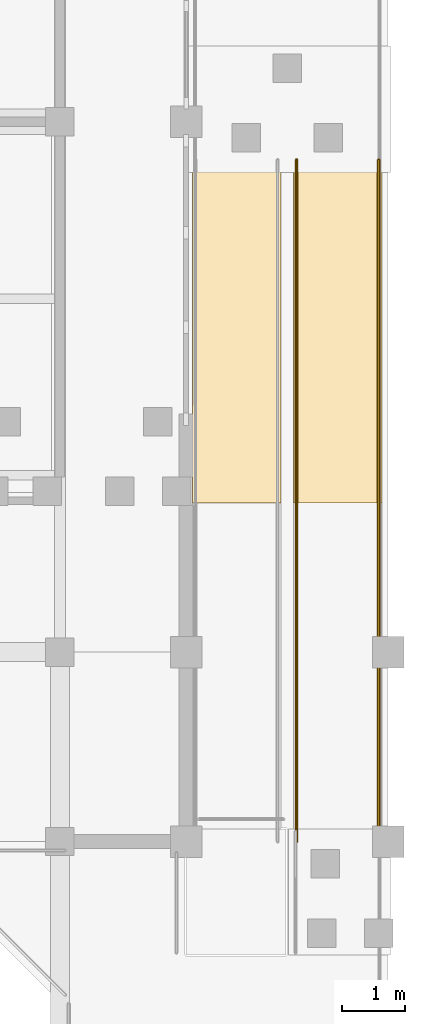
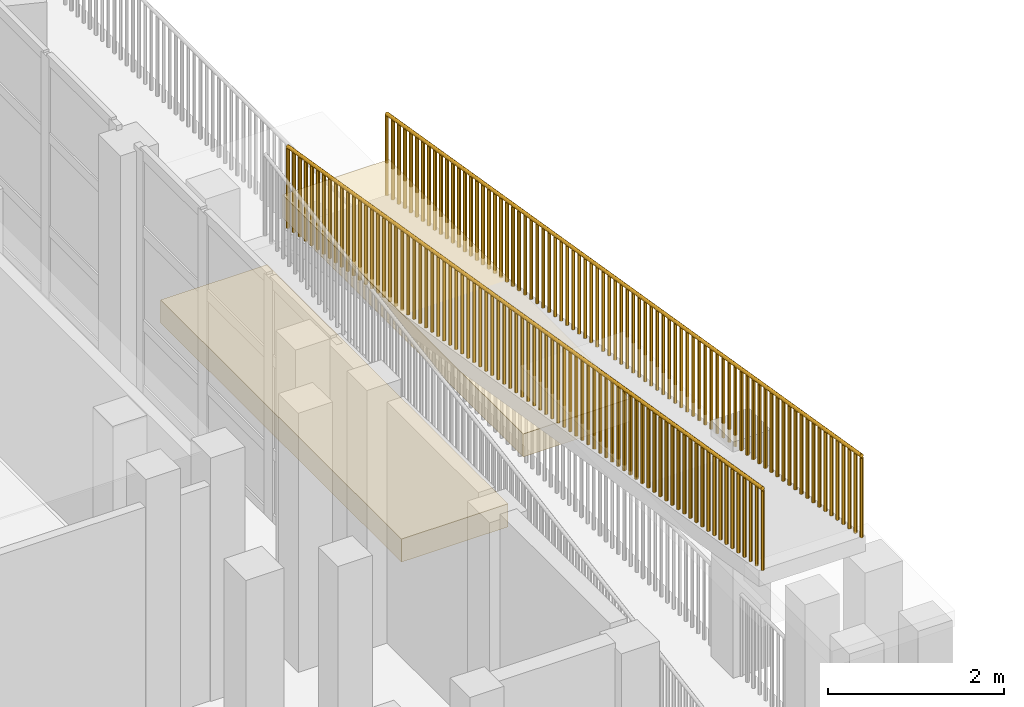
# One storey, part 41 of 42: 2 coverings, 2 railings.
"""IFC4 building model written with IfcOpenShell, lengths in metres."""

from ifc_helpers import new_model, si_unit, direction, frame, origin, origin_2d, place, context, subcontext, project, spatial, rectangle, circle, extrude, material, layer, layer_set, type_object, element, save


model = new_model("IFC4")

# Units and contexts
model_context = context("Model", 3, precision=1e-05, world=origin(), true_north=direction((0.0, 1.0)))
body_context = subcontext(model_context, "Body", "Model", "MODEL_VIEW")
ifc_project = project(units=[si_unit("LENGTHUNIT", "METRE"), si_unit("AREAUNIT", "SQUARE_METRE"), si_unit("VOLUMEUNIT", "CUBIC_METRE"), si_unit("PLANEANGLEUNIT", "RADIAN"), si_unit("MASSUNIT", "GRAM", prefix="KILO")], contexts=[model_context])

# Site, building, storey
site_placement = place(None, origin())
site = spatial("IfcSite", under=ifc_project, at=site_placement, CompositionType="ELEMENT")
building_placement = place(site_placement, origin())
building = spatial("IfcBuilding", under=site, at=building_placement, Name="Vanh Quang Courtyard School", CompositionType="ELEMENT")
storey_placement = place(building_placement, frame((0.0, 0.0, 15.0)))
storey = spatial("IfcBuildingStorey", under=building, at=storey_placement, Name="L04", CompositionType="ELEMENT", Elevation=15.0)

# Coverings
ifc_material_1 = material(Name="Board-marked precast concrete C40/50", Category="concrete")
ifc_layer = layer(ifc_material_1, 0.239990234375)
ifc_layer_set = layer_set([ifc_layer], Name="Board-marked precast concrete C40/50")
covering_type = type_object("IfcCoveringType", Name="COV-HOOD-CONC", PredefinedType="CLADDING", material=ifc_layer_set)
for number, where, z_axis, x_axis, name in (
    (1, (113.800048828125, 76.5, 1.02978515625), (0.0, 0.0, 1.0), (1.0, 0.0, 0.0), "Covering CH-01 (L04)"),
    (2, (115.39990234375, 76.5, 1.93017578125), (0.0, 0.0, 1.0), (1.0, 0.0, 0.0), "Covering CH-01 (L04)"),
):
    element("IfcCovering", number, at=place(storey_placement, frame(where, z_axis=z_axis, x_axis=x_axis)), inside=storey, type_object=covering_type, Name=name, PredefinedType="CLADDING", context=body_context, shape_type="SweptSolid", body=[
        extrude(rectangle(XDim=1.39990234375, YDim=5.47998046875, at=origin_2d()), origin(), (0.0, 0.0, 1.0), 0.320068359375),
    ])

# Railings
ifc_material_2 = material(Name="Galvanised painted steel EN 10025-2 S355J2", Category="steel")
railing_type = type_object("IfcRailingType", Name="RAIL-GUARD-1150", PredefinedType="BALUSTRADE", material=ifc_material_2)
railing_1_placement = place(storey_placement, frame((114.75, 79.199951171875, 1.800048828125)))
element("IfcRailing", 3, at=railing_1_placement, inside=storey, type_object=railing_type, Name="Railing GR-01 (L04)", PredefinedType="BALUSTRADE", context=body_context, shape_type="SweptSolid", body=[
    extrude(circle(Radius=0.02392578125, at=origin_2d()), frame((0.0, 0.0, 1.1259765625), z_axis=(0.0, -0.986393321179, 0.164402603184), x_axis=(1.0, 0.0, 0.0)), (0.0, 0.0, 1.0), 10.948974609375),
    extrude(circle(Radius=0.02099609375, at=origin_2d()), origin(), (0.0, 0.0, 1.0), 1.101806640625),
    extrude(circle(Radius=0.02099609375, at=origin_2d()), frame((0.0, -0.13671875, 0.022705078125)), (0.0, 0.0, 1.0), 1.101806640625),
    extrude(circle(Radius=0.02099609375, at=origin_2d()), frame((0.0, -0.2734375, 0.045654296875)), (0.0, 0.0, 1.0), 1.101806640625),
    extrude(circle(Radius=0.02099609375, at=origin_2d()), frame((0.0, -0.41015625, 0.068359375)), (0.0, 0.0, 1.0), 1.101806640625),
    extrude(circle(Radius=0.02099609375, at=origin_2d()), frame((0.0, -0.546875, 0.091064453125)), (0.0, 0.0, 1.0), 1.101806640625),
    extrude(circle(Radius=0.02099609375, at=origin_2d()), frame((0.0, -0.68359375, 0.114013671875)), (0.0, 0.0, 1.0), 1.101806640625),
    extrude(circle(Radius=0.02099609375, at=origin_2d()), frame((0.0, -0.8203125, 0.13671875)), (0.0, 0.0, 1.0), 1.101806640625),
    extrude(circle(Radius=0.02099609375, at=origin_2d()), frame((0.0, -0.95703125, 0.159423828125)), (0.0, 0.0, 1.0), 1.101806640625),
    extrude(circle(Radius=0.02099609375, at=origin_2d()), frame((0.0, -1.09375, 0.182373046875)), (0.0, 0.0, 1.0), 1.101806640625),
    extrude(circle(Radius=0.02099609375, at=origin_2d()), frame((0.0, -1.23046875, 0.205078125)), (0.0, 0.0, 1.0), 1.101806640625),
    extrude(circle(Radius=0.02099609375, at=origin_2d()), frame((0.0, -1.3671875, 0.227783203125)), (0.0, 0.0, 1.0), 1.101806640625),
    extrude(circle(Radius=0.02099609375, at=origin_2d()), frame((0.0, -1.50390625, 0.250732421875)), (0.0, 0.0, 1.0), 1.101806640625),
    extrude(circle(Radius=0.02099609375, at=origin_2d()), frame((0.0, -1.640625, 0.2734375)), (0.0, 0.0, 1.0), 1.101806640625),
    extrude(circle(Radius=0.02099609375, at=origin_2d()), frame((0.0, -1.77734375, 0.296142578125)), (0.0, 0.0, 1.0), 1.101806640625),
    extrude(circle(Radius=0.02099609375, at=origin_2d()), frame((0.0, -1.913818359375, 0.319091796875)), (0.0, 0.0, 1.0), 1.101806640625),
    extrude(circle(Radius=0.02099609375, at=origin_2d()), frame((0.0, -2.050537109375, 0.341796875)), (0.0, 0.0, 1.0), 1.101806640625),
    extrude(circle(Radius=0.02099609375, at=origin_2d()), frame((0.0, -2.187255859375, 0.364501953125)), (0.0, 0.0, 1.0), 1.101806640625),
    extrude(circle(Radius=0.02099609375, at=origin_2d()), frame((0.0, -2.323974609375, 0.387451171875)), (0.0, 0.0, 1.0), 1.101806640625),
    extrude(circle(Radius=0.02099609375, at=origin_2d()), frame((0.0, -2.460693359375, 0.41015625)), (0.0, 0.0, 1.0), 1.101806640625),
    extrude(circle(Radius=0.02099609375, at=origin_2d()), frame((0.0, -2.597412109375, 0.432861328125)), (0.0, 0.0, 1.0), 1.101806640625),
    extrude(circle(Radius=0.02099609375, at=origin_2d()), frame((0.0, -2.734130859375, 0.455810546875)), (0.0, 0.0, 1.0), 1.101806640625),
    extrude(circle(Radius=0.02099609375, at=origin_2d()), frame((0.0, -2.870849609375, 0.478515625)), (0.0, 0.0, 1.0), 1.101806640625),
    extrude(circle(Radius=0.02099609375, at=origin_2d()), frame((0.0, -3.007568359375, 0.501220703125)), (0.0, 0.0, 1.0), 1.101806640625),
    extrude(circle(Radius=0.02099609375, at=origin_2d()), frame((0.0, -3.144287109375, 0.524169921875)), (0.0, 0.0, 1.0), 1.101806640625),
    extrude(circle(Radius=0.02099609375, at=origin_2d()), frame((0.0, -3.281005859375, 0.546875)), (0.0, 0.0, 1.0), 1.101806640625),
    extrude(circle(Radius=0.02099609375, at=origin_2d()), frame((0.0, -3.417724609375, 0.569580078125)), (0.0, 0.0, 1.0), 1.101806640625),
    extrude(circle(Radius=0.02099609375, at=origin_2d()), frame((0.0, -3.554443359375, 0.592529296875)), (0.0, 0.0, 1.0), 1.101806640625),
    extrude(circle(Radius=0.02099609375, at=origin_2d()), frame((0.0, -3.691162109375, 0.615234375)), (0.0, 0.0, 1.0), 1.101806640625),
    extrude(circle(Radius=0.02099609375, at=origin_2d()), frame((0.0, -3.827880859375, 0.637939453125)), (0.0, 0.0, 1.0), 1.101806640625),
    extrude(circle(Radius=0.02099609375, at=origin_2d()), frame((0.0, -3.964599609375, 0.660888671875)), (0.0, 0.0, 1.0), 1.101806640625),
    extrude(circle(Radius=0.02099609375, at=origin_2d()), frame((0.0, -4.101318359375, 0.68359375)), (0.0, 0.0, 1.0), 1.101806640625),
    extrude(circle(Radius=0.02099609375, at=origin_2d()), frame((0.0, -4.238037109375, 0.706298828125)), (0.0, 0.0, 1.0), 1.101806640625),
    extrude(circle(Radius=0.02099609375, at=origin_2d()), frame((0.0, -4.374755859375, 0.729248046875)), (0.0, 0.0, 1.0), 1.101806640625),
    extrude(circle(Radius=0.02099609375, at=origin_2d()), frame((0.0, -4.511474609375, 0.751953125)), (0.0, 0.0, 1.0), 1.101806640625),
    extrude(circle(Radius=0.02099609375, at=origin_2d()), frame((0.0, -4.648193359375, 0.774658203125)), (0.0, 0.0, 1.0), 1.101806640625),
    extrude(circle(Radius=0.02099609375, at=origin_2d()), frame((0.0, -4.784912109375, 0.797607421875)), (0.0, 0.0, 1.0), 1.101806640625),
    extrude(circle(Radius=0.02099609375, at=origin_2d()), frame((0.0, -4.921630859375, 0.8203125)), (0.0, 0.0, 1.0), 1.101806640625),
    extrude(circle(Radius=0.02099609375, at=origin_2d()), frame((0.0, -5.058349609375, 0.843017578125)), (0.0, 0.0, 1.0), 1.101806640625),
    extrude(circle(Radius=0.02099609375, at=origin_2d()), frame((0.0, -5.195068359375, 0.865966796875)), (0.0, 0.0, 1.0), 1.101806640625),
    extrude(circle(Radius=0.02099609375, at=origin_2d()), frame((0.0, -5.331787109375, 0.888671875)), (0.0, 0.0, 1.0), 1.101806640625),
    extrude(circle(Radius=0.02099609375, at=origin_2d()), frame((0.0, -5.46826171875, 0.911376953125)), (0.0, 0.0, 1.0), 1.101806640625),
    extrude(circle(Radius=0.02099609375, at=origin_2d()), frame((0.0, -5.60498046875, 0.93408203125)), (0.0, 0.0, 1.0), 1.101806640625),
    extrude(circle(Radius=0.02099609375, at=origin_2d()), frame((0.0, -5.74169921875, 0.95703125)), (0.0, 0.0, 1.0), 1.101806640625),
    extrude(circle(Radius=0.02099609375, at=origin_2d()), frame((0.0, -5.87841796875, 0.979736328125)), (0.0, 0.0, 1.0), 1.101806640625),
    extrude(circle(Radius=0.02099609375, at=origin_2d()), frame((0.0, -6.01513671875, 1.00244140625)), (0.0, 0.0, 1.0), 1.101806640625),
    extrude(circle(Radius=0.02099609375, at=origin_2d()), frame((0.0, -6.15185546875, 1.025390625)), (0.0, 0.0, 1.0), 1.101806640625),
    extrude(circle(Radius=0.02099609375, at=origin_2d()), frame((0.0, -6.28857421875, 1.048095703125)), (0.0, 0.0, 1.0), 1.101806640625),
    extrude(circle(Radius=0.02099609375, at=origin_2d()), frame((0.0, -6.42529296875, 1.07080078125)), (0.0, 0.0, 1.0), 1.101806640625),
    extrude(circle(Radius=0.02099609375, at=origin_2d()), frame((0.0, -6.56201171875, 1.09375)), (0.0, 0.0, 1.0), 1.101806640625),
    extrude(circle(Radius=0.02099609375, at=origin_2d()), frame((0.0, -6.69873046875, 1.116455078125)), (0.0, 0.0, 1.0), 1.101806640625),
    extrude(circle(Radius=0.02099609375, at=origin_2d()), frame((0.0, -6.83544921875, 1.13916015625)), (0.0, 0.0, 1.0), 1.101806640625),
    extrude(circle(Radius=0.02099609375, at=origin_2d()), frame((0.0, -6.97216796875, 1.162109375)), (0.0, 0.0, 1.0), 1.101806640625),
    extrude(circle(Radius=0.02099609375, at=origin_2d()), frame((0.0, -7.10888671875, 1.184814453125)), (0.0, 0.0, 1.0), 1.101806640625),
    extrude(circle(Radius=0.02099609375, at=origin_2d()), frame((0.0, -7.24560546875, 1.20751953125)), (0.0, 0.0, 1.0), 1.101806640625),
    extrude(circle(Radius=0.02099609375, at=origin_2d()), frame((0.0, -7.38232421875, 1.23046875)), (0.0, 0.0, 1.0), 1.101806640625),
    extrude(circle(Radius=0.02099609375, at=origin_2d()), frame((0.0, -7.51904296875, 1.253173828125)), (0.0, 0.0, 1.0), 1.101806640625),
    extrude(circle(Radius=0.02099609375, at=origin_2d()), frame((0.0, -7.65576171875, 1.27587890625)), (0.0, 0.0, 1.0), 1.101806640625),
    extrude(circle(Radius=0.02099609375, at=origin_2d()), frame((0.0, -7.79248046875, 1.298828125)), (0.0, 0.0, 1.0), 1.101806640625),
    extrude(circle(Radius=0.02099609375, at=origin_2d()), frame((0.0, -7.92919921875, 1.321533203125)), (0.0, 0.0, 1.0), 1.101806640625),
    extrude(circle(Radius=0.02099609375, at=origin_2d()), frame((0.0, -8.06591796875, 1.34423828125)), (0.0, 0.0, 1.0), 1.101806640625),
    extrude(circle(Radius=0.02099609375, at=origin_2d()), frame((0.0, -8.20263671875, 1.3671875)), (0.0, 0.0, 1.0), 1.101806640625),
    extrude(circle(Radius=0.02099609375, at=origin_2d()), frame((0.0, -8.33935546875, 1.389892578125)), (0.0, 0.0, 1.0), 1.101806640625),
    extrude(circle(Radius=0.02099609375, at=origin_2d()), frame((0.0, -8.47607421875, 1.41259765625)), (0.0, 0.0, 1.0), 1.101806640625),
    extrude(circle(Radius=0.02099609375, at=origin_2d()), frame((0.0, -8.61279296875, 1.435546875)), (0.0, 0.0, 1.0), 1.101806640625),
    extrude(circle(Radius=0.02099609375, at=origin_2d()), frame((0.0, -8.74951171875, 1.458251953125)), (0.0, 0.0, 1.0), 1.101806640625),
    extrude(circle(Radius=0.02099609375, at=origin_2d()), frame((0.0, -8.88623046875, 1.48095703125)), (0.0, 0.0, 1.0), 1.101806640625),
    extrude(circle(Radius=0.02099609375, at=origin_2d()), frame((0.0, -9.022705078125, 1.50390625)), (0.0, 0.0, 1.0), 1.101806640625),
    extrude(circle(Radius=0.02099609375, at=origin_2d()), frame((0.0, -9.159423828125, 1.526611328125)), (0.0, 0.0, 1.0), 1.101806640625),
    extrude(circle(Radius=0.02099609375, at=origin_2d()), frame((0.0, -9.296142578125, 1.54931640625)), (0.0, 0.0, 1.0), 1.101806640625),
    extrude(circle(Radius=0.02099609375, at=origin_2d()), frame((0.0, -9.432861328125, 1.572265625)), (0.0, 0.0, 1.0), 1.101806640625),
    extrude(circle(Radius=0.02099609375, at=origin_2d()), frame((0.0, -9.569580078125, 1.594970703125)), (0.0, 0.0, 1.0), 1.101806640625),
    extrude(circle(Radius=0.02099609375, at=origin_2d()), frame((0.0, -9.706298828125, 1.61767578125)), (0.0, 0.0, 1.0), 1.101806640625),
    extrude(circle(Radius=0.02099609375, at=origin_2d()), frame((0.0, -9.843017578125, 1.640625)), (0.0, 0.0, 1.0), 1.101806640625),
    extrude(circle(Radius=0.02099609375, at=origin_2d()), frame((0.0, -9.979736328125, 1.663330078125)), (0.0, 0.0, 1.0), 1.101806640625),
    extrude(circle(Radius=0.02099609375, at=origin_2d()), frame((0.0, -10.116455078125, 1.68603515625)), (0.0, 0.0, 1.0), 1.101806640625),
    extrude(circle(Radius=0.02099609375, at=origin_2d()), frame((0.0, -10.253173828125, 1.708984375)), (0.0, 0.0, 1.0), 1.101806640625),
    extrude(circle(Radius=0.02099609375, at=origin_2d()), frame((0.0, -10.389892578125, 1.731689453125)), (0.0, 0.0, 1.0), 1.101806640625),
    extrude(circle(Radius=0.02099609375, at=origin_2d()), frame((0.0, -10.526611328125, 1.75439453125)), (0.0, 0.0, 1.0), 1.101806640625),
    extrude(circle(Radius=0.02099609375, at=origin_2d()), frame((0.0, -10.663330078125, 1.77734375)), (0.0, 0.0, 1.0), 1.101806640625),
    extrude(circle(Radius=0.02099609375, at=origin_2d()), frame((0.0, -10.800048828125, 1.800048828125)), (0.0, 0.0, 1.0), 1.101806640625),
])
railing_2_placement = place(storey_placement, frame((116.050048828125, 79.199951171875, 1.800048828125)))
element("IfcRailing", 4, at=railing_2_placement, inside=storey, type_object=railing_type, Name="Railing GR-01 (L04)", PredefinedType="BALUSTRADE", context=body_context, shape_type="SweptSolid", body=[
    extrude(circle(Radius=0.02392578125, at=origin_2d()), frame((0.0, 0.0, 1.1259765625), z_axis=(0.0, -0.986393321179, 0.164402603184), x_axis=(1.0, 0.0, 0.0)), (0.0, 0.0, 1.0), 10.948974609375),
    extrude(circle(Radius=0.02099609375, at=origin_2d()), origin(), (0.0, 0.0, 1.0), 1.101806640625),
    extrude(circle(Radius=0.02099609375, at=origin_2d()), frame((0.0, -0.13671875, 0.022705078125)), (0.0, 0.0, 1.0), 1.101806640625),
    extrude(circle(Radius=0.02099609375, at=origin_2d()), frame((0.0, -0.2734375, 0.045654296875)), (0.0, 0.0, 1.0), 1.101806640625),
    extrude(circle(Radius=0.02099609375, at=origin_2d()), frame((0.0, -0.41015625, 0.068359375)), (0.0, 0.0, 1.0), 1.101806640625),
    extrude(circle(Radius=0.02099609375, at=origin_2d()), frame((0.0, -0.546875, 0.091064453125)), (0.0, 0.0, 1.0), 1.101806640625),
    extrude(circle(Radius=0.02099609375, at=origin_2d()), frame((0.0, -0.68359375, 0.114013671875)), (0.0, 0.0, 1.0), 1.101806640625),
    extrude(circle(Radius=0.02099609375, at=origin_2d()), frame((0.0, -0.8203125, 0.13671875)), (0.0, 0.0, 1.0), 1.101806640625),
    extrude(circle(Radius=0.02099609375, at=origin_2d()), frame((0.0, -0.95703125, 0.159423828125)), (0.0, 0.0, 1.0), 1.101806640625),
    extrude(circle(Radius=0.02099609375, at=origin_2d()), frame((0.0, -1.09375, 0.182373046875)), (0.0, 0.0, 1.0), 1.101806640625),
    extrude(circle(Radius=0.02099609375, at=origin_2d()), frame((0.0, -1.23046875, 0.205078125)), (0.0, 0.0, 1.0), 1.101806640625),
    extrude(circle(Radius=0.02099609375, at=origin_2d()), frame((0.0, -1.3671875, 0.227783203125)), (0.0, 0.0, 1.0), 1.101806640625),
    extrude(circle(Radius=0.02099609375, at=origin_2d()), frame((0.0, -1.50390625, 0.250732421875)), (0.0, 0.0, 1.0), 1.101806640625),
    extrude(circle(Radius=0.02099609375, at=origin_2d()), frame((0.0, -1.640625, 0.2734375)), (0.0, 0.0, 1.0), 1.101806640625),
    extrude(circle(Radius=0.02099609375, at=origin_2d()), frame((0.0, -1.77734375, 0.296142578125)), (0.0, 0.0, 1.0), 1.101806640625),
    extrude(circle(Radius=0.02099609375, at=origin_2d()), frame((0.0, -1.913818359375, 0.319091796875)), (0.0, 0.0, 1.0), 1.101806640625),
    extrude(circle(Radius=0.02099609375, at=origin_2d()), frame((0.0, -2.050537109375, 0.341796875)), (0.0, 0.0, 1.0), 1.101806640625),
    extrude(circle(Radius=0.02099609375, at=origin_2d()), frame((0.0, -2.187255859375, 0.364501953125)), (0.0, 0.0, 1.0), 1.101806640625),
    extrude(circle(Radius=0.02099609375, at=origin_2d()), frame((0.0, -2.323974609375, 0.387451171875)), (0.0, 0.0, 1.0), 1.101806640625),
    extrude(circle(Radius=0.02099609375, at=origin_2d()), frame((0.0, -2.460693359375, 0.41015625)), (0.0, 0.0, 1.0), 1.101806640625),
    extrude(circle(Radius=0.02099609375, at=origin_2d()), frame((0.0, -2.597412109375, 0.432861328125)), (0.0, 0.0, 1.0), 1.101806640625),
    extrude(circle(Radius=0.02099609375, at=origin_2d()), frame((0.0, -2.734130859375, 0.455810546875)), (0.0, 0.0, 1.0), 1.101806640625),
    extrude(circle(Radius=0.02099609375, at=origin_2d()), frame((0.0, -2.870849609375, 0.478515625)), (0.0, 0.0, 1.0), 1.101806640625),
    extrude(circle(Radius=0.02099609375, at=origin_2d()), frame((0.0, -3.007568359375, 0.501220703125)), (0.0, 0.0, 1.0), 1.101806640625),
    extrude(circle(Radius=0.02099609375, at=origin_2d()), frame((0.0, -3.144287109375, 0.524169921875)), (0.0, 0.0, 1.0), 1.101806640625),
    extrude(circle(Radius=0.02099609375, at=origin_2d()), frame((0.0, -3.281005859375, 0.546875)), (0.0, 0.0, 1.0), 1.101806640625),
    extrude(circle(Radius=0.02099609375, at=origin_2d()), frame((0.0, -3.417724609375, 0.569580078125)), (0.0, 0.0, 1.0), 1.101806640625),
    extrude(circle(Radius=0.02099609375, at=origin_2d()), frame((0.0, -3.554443359375, 0.592529296875)), (0.0, 0.0, 1.0), 1.101806640625),
    extrude(circle(Radius=0.02099609375, at=origin_2d()), frame((0.0, -3.691162109375, 0.615234375)), (0.0, 0.0, 1.0), 1.101806640625),
    extrude(circle(Radius=0.02099609375, at=origin_2d()), frame((0.0, -3.827880859375, 0.637939453125)), (0.0, 0.0, 1.0), 1.101806640625),
    extrude(circle(Radius=0.02099609375, at=origin_2d()), frame((0.0, -3.964599609375, 0.660888671875)), (0.0, 0.0, 1.0), 1.101806640625),
    extrude(circle(Radius=0.02099609375, at=origin_2d()), frame((0.0, -4.101318359375, 0.68359375)), (0.0, 0.0, 1.0), 1.101806640625),
    extrude(circle(Radius=0.02099609375, at=origin_2d()), frame((0.0, -4.238037109375, 0.706298828125)), (0.0, 0.0, 1.0), 1.101806640625),
    extrude(circle(Radius=0.02099609375, at=origin_2d()), frame((0.0, -4.374755859375, 0.729248046875)), (0.0, 0.0, 1.0), 1.101806640625),
    extrude(circle(Radius=0.02099609375, at=origin_2d()), frame((0.0, -4.511474609375, 0.751953125)), (0.0, 0.0, 1.0), 1.101806640625),
    extrude(circle(Radius=0.02099609375, at=origin_2d()), frame((0.0, -4.648193359375, 0.774658203125)), (0.0, 0.0, 1.0), 1.101806640625),
    extrude(circle(Radius=0.02099609375, at=origin_2d()), frame((0.0, -4.784912109375, 0.797607421875)), (0.0, 0.0, 1.0), 1.101806640625),
    extrude(circle(Radius=0.02099609375, at=origin_2d()), frame((0.0, -4.921630859375, 0.8203125)), (0.0, 0.0, 1.0), 1.101806640625),
    extrude(circle(Radius=0.02099609375, at=origin_2d()), frame((0.0, -5.058349609375, 0.843017578125)), (0.0, 0.0, 1.0), 1.101806640625),
    extrude(circle(Radius=0.02099609375, at=origin_2d()), frame((0.0, -5.195068359375, 0.865966796875)), (0.0, 0.0, 1.0), 1.101806640625),
    extrude(circle(Radius=0.02099609375, at=origin_2d()), frame((0.0, -5.331787109375, 0.888671875)), (0.0, 0.0, 1.0), 1.101806640625),
    extrude(circle(Radius=0.02099609375, at=origin_2d()), frame((0.0, -5.46826171875, 0.911376953125)), (0.0, 0.0, 1.0), 1.101806640625),
    extrude(circle(Radius=0.02099609375, at=origin_2d()), frame((0.0, -5.60498046875, 0.93408203125)), (0.0, 0.0, 1.0), 1.101806640625),
    extrude(circle(Radius=0.02099609375, at=origin_2d()), frame((0.0, -5.74169921875, 0.95703125)), (0.0, 0.0, 1.0), 1.101806640625),
    extrude(circle(Radius=0.02099609375, at=origin_2d()), frame((0.0, -5.87841796875, 0.979736328125)), (0.0, 0.0, 1.0), 1.101806640625),
    extrude(circle(Radius=0.02099609375, at=origin_2d()), frame((0.0, -6.01513671875, 1.00244140625)), (0.0, 0.0, 1.0), 1.101806640625),
    extrude(circle(Radius=0.02099609375, at=origin_2d()), frame((0.0, -6.15185546875, 1.025390625)), (0.0, 0.0, 1.0), 1.101806640625),
    extrude(circle(Radius=0.02099609375, at=origin_2d()), frame((0.0, -6.28857421875, 1.048095703125)), (0.0, 0.0, 1.0), 1.101806640625),
    extrude(circle(Radius=0.02099609375, at=origin_2d()), frame((0.0, -6.42529296875, 1.07080078125)), (0.0, 0.0, 1.0), 1.101806640625),
    extrude(circle(Radius=0.02099609375, at=origin_2d()), frame((0.0, -6.56201171875, 1.09375)), (0.0, 0.0, 1.0), 1.101806640625),
    extrude(circle(Radius=0.02099609375, at=origin_2d()), frame((0.0, -6.69873046875, 1.116455078125)), (0.0, 0.0, 1.0), 1.101806640625),
    extrude(circle(Radius=0.02099609375, at=origin_2d()), frame((0.0, -6.83544921875, 1.13916015625)), (0.0, 0.0, 1.0), 1.101806640625),
    extrude(circle(Radius=0.02099609375, at=origin_2d()), frame((0.0, -6.97216796875, 1.162109375)), (0.0, 0.0, 1.0), 1.101806640625),
    extrude(circle(Radius=0.02099609375, at=origin_2d()), frame((0.0, -7.10888671875, 1.184814453125)), (0.0, 0.0, 1.0), 1.101806640625),
    extrude(circle(Radius=0.02099609375, at=origin_2d()), frame((0.0, -7.24560546875, 1.20751953125)), (0.0, 0.0, 1.0), 1.101806640625),
    extrude(circle(Radius=0.02099609375, at=origin_2d()), frame((0.0, -7.38232421875, 1.23046875)), (0.0, 0.0, 1.0), 1.101806640625),
    extrude(circle(Radius=0.02099609375, at=origin_2d()), frame((0.0, -7.51904296875, 1.253173828125)), (0.0, 0.0, 1.0), 1.101806640625),
    extrude(circle(Radius=0.02099609375, at=origin_2d()), frame((0.0, -7.65576171875, 1.27587890625)), (0.0, 0.0, 1.0), 1.101806640625),
    extrude(circle(Radius=0.02099609375, at=origin_2d()), frame((0.0, -7.79248046875, 1.298828125)), (0.0, 0.0, 1.0), 1.101806640625),
    extrude(circle(Radius=0.02099609375, at=origin_2d()), frame((0.0, -7.92919921875, 1.321533203125)), (0.0, 0.0, 1.0), 1.101806640625),
    extrude(circle(Radius=0.02099609375, at=origin_2d()), frame((0.0, -8.06591796875, 1.34423828125)), (0.0, 0.0, 1.0), 1.101806640625),
    extrude(circle(Radius=0.02099609375, at=origin_2d()), frame((0.0, -8.20263671875, 1.3671875)), (0.0, 0.0, 1.0), 1.101806640625),
    extrude(circle(Radius=0.02099609375, at=origin_2d()), frame((0.0, -8.33935546875, 1.389892578125)), (0.0, 0.0, 1.0), 1.101806640625),
    extrude(circle(Radius=0.02099609375, at=origin_2d()), frame((0.0, -8.47607421875, 1.41259765625)), (0.0, 0.0, 1.0), 1.101806640625),
    extrude(circle(Radius=0.02099609375, at=origin_2d()), frame((0.0, -8.61279296875, 1.435546875)), (0.0, 0.0, 1.0), 1.101806640625),
    extrude(circle(Radius=0.02099609375, at=origin_2d()), frame((0.0, -8.74951171875, 1.458251953125)), (0.0, 0.0, 1.0), 1.101806640625),
    extrude(circle(Radius=0.02099609375, at=origin_2d()), frame((0.0, -8.88623046875, 1.48095703125)), (0.0, 0.0, 1.0), 1.101806640625),
    extrude(circle(Radius=0.02099609375, at=origin_2d()), frame((0.0, -9.022705078125, 1.50390625)), (0.0, 0.0, 1.0), 1.101806640625),
    extrude(circle(Radius=0.02099609375, at=origin_2d()), frame((0.0, -9.159423828125, 1.526611328125)), (0.0, 0.0, 1.0), 1.101806640625),
    extrude(circle(Radius=0.02099609375, at=origin_2d()), frame((0.0, -9.296142578125, 1.54931640625)), (0.0, 0.0, 1.0), 1.101806640625),
    extrude(circle(Radius=0.02099609375, at=origin_2d()), frame((0.0, -9.432861328125, 1.572265625)), (0.0, 0.0, 1.0), 1.101806640625),
    extrude(circle(Radius=0.02099609375, at=origin_2d()), frame((0.0, -9.569580078125, 1.594970703125)), (0.0, 0.0, 1.0), 1.101806640625),
    extrude(circle(Radius=0.02099609375, at=origin_2d()), frame((0.0, -9.706298828125, 1.61767578125)), (0.0, 0.0, 1.0), 1.101806640625),
    extrude(circle(Radius=0.02099609375, at=origin_2d()), frame((0.0, -9.843017578125, 1.640625)), (0.0, 0.0, 1.0), 1.101806640625),
    extrude(circle(Radius=0.02099609375, at=origin_2d()), frame((0.0, -9.979736328125, 1.663330078125)), (0.0, 0.0, 1.0), 1.101806640625),
    extrude(circle(Radius=0.02099609375, at=origin_2d()), frame((0.0, -10.116455078125, 1.68603515625)), (0.0, 0.0, 1.0), 1.101806640625),
    extrude(circle(Radius=0.02099609375, at=origin_2d()), frame((0.0, -10.253173828125, 1.708984375)), (0.0, 0.0, 1.0), 1.101806640625),
    extrude(circle(Radius=0.02099609375, at=origin_2d()), frame((0.0, -10.389892578125, 1.731689453125)), (0.0, 0.0, 1.0), 1.101806640625),
    extrude(circle(Radius=0.02099609375, at=origin_2d()), frame((0.0, -10.526611328125, 1.75439453125)), (0.0, 0.0, 1.0), 1.101806640625),
    extrude(circle(Radius=0.02099609375, at=origin_2d()), frame((0.0, -10.663330078125, 1.77734375)), (0.0, 0.0, 1.0), 1.101806640625),
    extrude(circle(Radius=0.02099609375, at=origin_2d()), frame((0.0, -10.800048828125, 1.800048828125)), (0.0, 0.0, 1.0), 1.101806640625),
])

save(model, "model.ifc")
